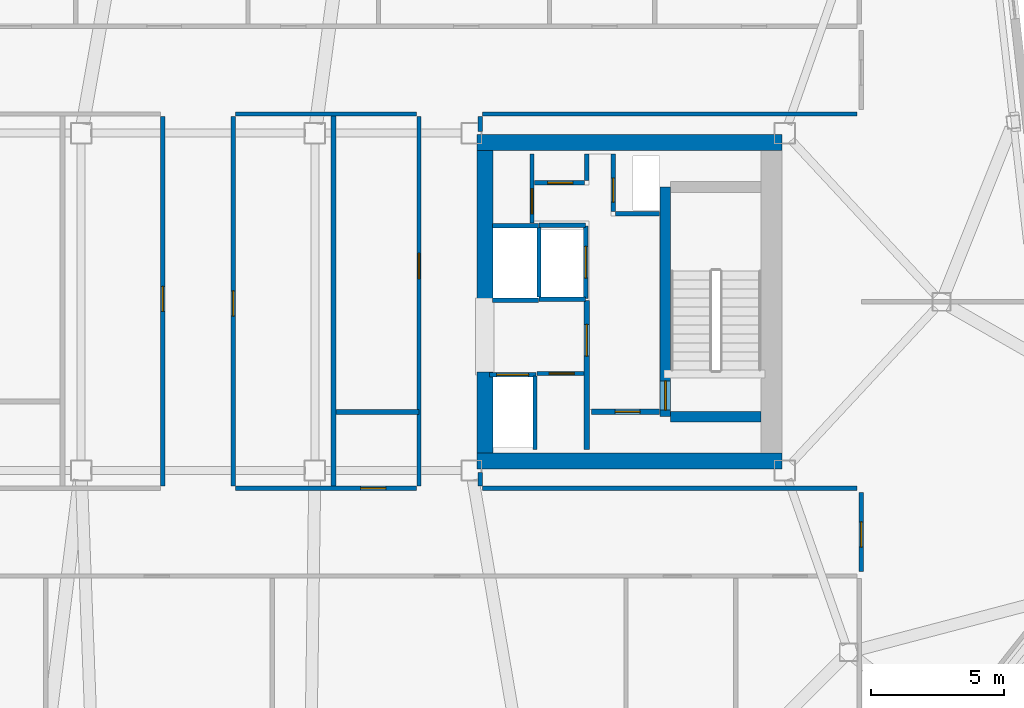
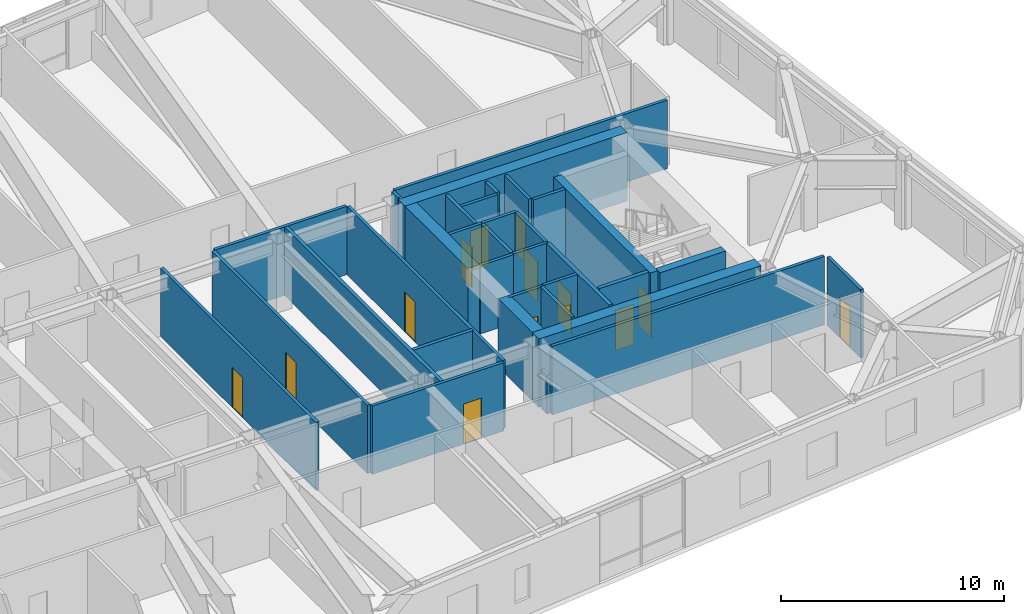
# One storey, part 13 of 18: 34 walls, 14 doors, 14 openings.
"""IFC4 building model written with IfcOpenShell, lengths in metres."""

from ifc_helpers import new_model, si_unit, direction, frame, frame_2d, origin, place, context, subcontext, project, spatial, rectangle, extrude, material, layer, layer_set, type_object, element, fill, save


model = new_model("IFC4")

# Units and contexts
model_context = context("Model", 3, precision=1e-05, world=origin(), true_north=direction((0.0, 1.0)))
body_context = subcontext(model_context, "Body", "Model", "MODEL_VIEW")
ifc_project = project(units=[si_unit("LENGTHUNIT", "METRE"), si_unit("AREAUNIT", "SQUARE_METRE"), si_unit("VOLUMEUNIT", "CUBIC_METRE"), si_unit("PLANEANGLEUNIT", "RADIAN"), si_unit("MASSUNIT", "GRAM", prefix="KILO")], contexts=[model_context])

# Site, building, storey
site_placement = place(None, origin())
site = spatial("IfcSite", under=ifc_project, at=site_placement, CompositionType="ELEMENT")
building_placement = place(site_placement, origin())
building = spatial("IfcBuilding", under=site, at=building_placement, Name="Tavrogorsk Clinical Tower", CompositionType="ELEMENT")
storey_placement = place(building_placement, frame((0.0, 0.0, 222.199951171875)))
storey = spatial("IfcBuildingStorey", under=building, at=storey_placement, Name="L51", CompositionType="ELEMENT", Elevation=222.199951171875)

# Wall, opening, door
ifc_material_1 = material(Name="Concrete B60", Category="concrete")
ifc_layer_1 = layer(ifc_material_1, 0.199951171875)
ifc_layer_set_1 = layer_set([ifc_layer_1], Name="Concrete B60")
wall_type_1 = type_object("IfcWallType", Name="CoreFireWall_200", PredefinedType="SOLIDWALL", material=ifc_layer_set_1)
wall_1_placement = place(storey_placement, frame((14.824951171875, -4.139892578125, 0.0), z_axis=(0.0, 0.0, 1.0), x_axis=(1.0, 0.0, 0.0)))
wall_1 = element("IfcWall", 1, at=wall_1_placement, inside=storey, type_object=wall_type_1, Name="L51 Core East South Core Room Fire Wall", PredefinedType="SOLIDWALL", context=body_context, shape_type="SweptSolid", body=[
    extrude(rectangle(XDim=2.554931640625, YDim=0.199951171875, at=frame_2d((1.27734375, 0.0))), origin(), (0.0, 0.0, 1.0), 3.739990234375),
])
opening_1_placement = place(wall_1_placement, frame((0.8798828125, 0.0, 0.0)))
opening_1 = element("IfcOpeningElement", 2, at=opening_1_placement, cuts=wall_1, Name="Opening ID-02", PredefinedType="OPENING", context=body_context, shape_type="SweptSolid", body=[
    extrude(rectangle(XDim=0.949951171875, YDim=2.199951171875, at=frame_2d((0.47509765625, 1.10009765625))), frame((0.0, 0.10986328125, 0.0), z_axis=(0.0, -1.0, 0.0), x_axis=(1.0, 0.0, 0.0)), (0.0, 0.0, 1.0), 0.219970703125),
])
ifc_material_2 = material(Name="Laminated timber leaf on aluminium frame", Category="wood")
door_type_1 = type_object("IfcDoorType", Name="InteriorDoor_ID02_950", OperationType="NOTDEFINED", PredefinedType="DOOR", material=ifc_material_2)
door_1_placement = place(opening_1_placement, origin())
door_1 = element("IfcDoor", 3, at=door_1_placement, inside=storey, type_object=door_type_1, Name="L51 Core East South Core Room Door", OperationType="SINGLE_SWING_RIGHT", OverallHeight=2.199951171875, OverallWidth=0.949951171875, PredefinedType="DOOR", context=body_context, shape_type="SweptSolid", body=[
    extrude(rectangle(XDim=0.949951171875, YDim=2.199951171875, at=frame_2d((0.47509765625, 1.10009765625))), frame((0.0, 0.02490234375, 0.0), z_axis=(0.0, -1.0, 0.0), x_axis=(1.0, 0.0, 0.0)), (0.0, 0.0, 1.0), 0.050048828125),
])
fill(opening_1, door_1)

wall_2_placement = place(storey_placement, frame((14.639892578125, -5.56005859375, 0.0), z_axis=(0.0, 0.0, 1.0), x_axis=(0.0, 1.0, 0.0)))
wall_2 = element("IfcWall", 4, at=wall_2_placement, inside=storey, type_object=wall_type_1, Name="L51 Core East Firefighting Lobby Fire Wall", PredefinedType="SOLIDWALL", context=body_context, shape_type="SweptSolid", body=[
    extrude(rectangle(XDim=5.60009765625, YDim=0.199951171875, at=frame_2d((2.800048828125, 0.0))), origin(), (0.0, 0.0, 1.0), 3.739990234375),
])
opening_2_placement = place(wall_2_placement, frame((3.510009765625, 0.0, 0.0)))
opening_2 = element("IfcOpeningElement", 5, at=opening_2_placement, cuts=wall_2, Name="Opening FD-01", PredefinedType="OPENING", context=body_context, shape_type="SweptSolid", body=[
    extrude(rectangle(XDim=1.199951171875, YDim=2.199951171875, at=frame_2d((0.60009765625, 1.10009765625))), frame((0.0, 0.10986328125, 0.0), z_axis=(0.0, -1.0, 0.0), x_axis=(1.0, 0.0, 0.0)), (0.0, 0.0, 1.0), 0.219970703125),
])
ifc_material_3 = material(Name="Galvanised steel fire-rated door assembly", Category="steel")
door_type_2 = type_object("IfcDoorType", Name="FireDoor_FD01_1200", OperationType="NOTDEFINED", PredefinedType="DOOR", material=ifc_material_3)
door_2_placement = place(opening_2_placement, origin())
door_2 = element("IfcDoor", 6, at=door_2_placement, inside=storey, type_object=door_type_2, Name="L51 Core East Firefighting Lobby Entry Door", OperationType="SINGLE_SWING_RIGHT", OverallHeight=2.199951171875, OverallWidth=1.199951171875, PredefinedType="DOOR", context=body_context, shape_type="SweptSolid", body=[
    extrude(rectangle(XDim=1.199951171875, YDim=2.199951171875, at=frame_2d((0.60009765625, 1.10009765625))), frame((0.0, 0.02490234375, 0.0), z_axis=(0.0, -1.0, 0.0), x_axis=(1.0, 0.0, 0.0)), (0.0, 0.0, 1.0), 0.050048828125),
])
fill(opening_2, door_2)

ifc_material_4 = material(Name="Lightweight concrete blockwork B15", Category="masonry")
ifc_layer_2 = layer(ifc_material_4, 0.159912109375)
ifc_layer_set_2 = layer_set([ifc_layer_2], Name="Lightweight concrete blockwork B15")
wall_type_2 = type_object("IfcWallType", Name="PartitionWall_160", PredefinedType="PARTITIONING", material=ifc_layer_set_2)
wall_3_placement = place(storey_placement, frame((12.77490234375, -2.699951171875, 0.0), z_axis=(0.0, 0.0, 1.0), x_axis=(1.0, 0.0, 0.0)))
wall_3 = element("IfcWall", 7, at=wall_3_placement, inside=storey, type_object=wall_type_2, Name="L51 Core East Freed Low-Bank North Partition", PredefinedType="PARTITIONING", context=body_context, shape_type="SweptSolid", body=[
    extrude(rectangle(XDim=1.760009765625, YDim=0.159912109375, at=frame_2d((0.8798828125, 0.0))), origin(), (0.0, 0.0, 1.0), 3.739990234375),
])
opening_3_placement = place(wall_3_placement, frame((0.449951171875, 0.0, 0.0)))
opening_3 = element("IfcOpeningElement", 8, at=opening_3_placement, cuts=wall_3, Name="Opening ID-02", PredefinedType="OPENING", context=body_context, shape_type="SweptSolid", body=[
    extrude(rectangle(XDim=0.949951171875, YDim=2.199951171875, at=frame_2d((0.47509765625, 1.10009765625))), frame((0.0, 0.08984375, 0.0), z_axis=(0.0, -1.0, 0.0), x_axis=(1.0, 0.0, 0.0)), (0.0, 0.0, 1.0), 0.179931640625),
])
door_3_placement = place(opening_3_placement, origin())
door_3 = element("IfcDoor", 9, at=door_3_placement, inside=storey, type_object=door_type_1, Name="L51 Core East Biomedical Alcove Door", OperationType="SINGLE_SWING_LEFT", OverallHeight=2.199951171875, OverallWidth=0.949951171875, PredefinedType="DOOR", context=body_context, shape_type="SweptSolid", body=[
    extrude(rectangle(XDim=0.949951171875, YDim=2.199951171875, at=frame_2d((0.47509765625, 1.10009765625))), frame((0.0, 0.02490234375, 0.0), z_axis=(0.0, -1.0, 0.0), x_axis=(1.0, 0.0, 0.0)), (0.0, 0.0, 1.0), 0.050048828125),
])
fill(opening_3, door_3)

wall_4_placement = place(storey_placement, frame((12.580078125, 2.9599609375, 0.0), z_axis=(0.0, 0.0, 1.0), x_axis=(0.0, 1.0, 0.0)))
wall_4 = element("IfcWall", 10, at=wall_4_placement, inside=storey, type_object=wall_type_2, Name="L51 Core East Linen Closet Wall", PredefinedType="PARTITIONING", context=body_context, shape_type="SweptSolid", body=[
    extrude(rectangle(XDim=2.60009765625, YDim=0.159912109375, at=frame_2d((1.300048828125, 0.0))), origin(), (0.0, 0.0, 1.0), 3.739990234375),
])
opening_4_placement = place(wall_4_placement, frame((0.35009765625, 0.0, 0.0)))
opening_4 = element("IfcOpeningElement", 11, at=opening_4_placement, cuts=wall_4, Name="Opening ID-02", PredefinedType="OPENING", context=body_context, shape_type="SweptSolid", body=[
    extrude(rectangle(XDim=0.949951171875, YDim=2.199951171875, at=frame_2d((0.47509765625, 1.10009765625))), frame((0.0, 0.08984375, 0.0), z_axis=(0.0, -1.0, 0.0), x_axis=(1.0, 0.0, 0.0)), (0.0, 0.0, 1.0), 0.179931640625),
])
door_4_placement = place(opening_4_placement, origin())
door_4 = element("IfcDoor", 12, at=door_4_placement, inside=storey, type_object=door_type_1, Name="L51 Core East Linen Closet Door", OperationType="SINGLE_SWING_RIGHT", OverallHeight=2.199951171875, OverallWidth=0.949951171875, PredefinedType="DOOR", context=body_context, shape_type="SweptSolid", body=[
    extrude(rectangle(XDim=0.949951171875, YDim=2.199951171875, at=frame_2d((0.47509765625, 1.10009765625))), frame((0.0, 0.02490234375, 0.0), z_axis=(0.0, -1.0, 0.0), x_axis=(1.0, 0.0, 0.0)), (0.0, 0.0, 1.0), 0.050048828125),
])
fill(opening_4, door_4)

wall_5_placement = place(storey_placement, frame((12.6650390625, 4.47998046875, 0.0), z_axis=(0.0, 0.0, 1.0), x_axis=(1.0, 0.0, 0.0)))
wall_5 = element("IfcWall", 13, at=wall_5_placement, inside=storey, type_object=wall_type_2, Name="L51 Core East Housekeeping South Wall", PredefinedType="PARTITIONING", context=body_context, shape_type="SweptSolid", body=[
    extrude(rectangle(XDim=1.889892578125, YDim=0.159912109375, at=frame_2d((0.94482421875, 0.0))), origin(), (0.0, 0.0, 1.0), 3.739990234375),
])
opening_5_placement = place(wall_5_placement, frame((0.5, 0.0, 0.0)))
opening_5 = element("IfcOpeningElement", 14, at=opening_5_placement, cuts=wall_5, Name="Opening ID-02", PredefinedType="OPENING", context=body_context, shape_type="SweptSolid", body=[
    extrude(rectangle(XDim=0.949951171875, YDim=2.199951171875, at=frame_2d((0.47509765625, 1.10009765625))), frame((0.0, 0.08984375, 0.0), z_axis=(0.0, -1.0, 0.0), x_axis=(1.0, 0.0, 0.0)), (0.0, 0.0, 1.0), 0.179931640625),
])
door_5_placement = place(opening_5_placement, origin())
door_5 = element("IfcDoor", 15, at=door_5_placement, inside=storey, type_object=door_type_1, Name="L51 Core East Housekeeping Closet Door", OperationType="SINGLE_SWING_LEFT", OverallHeight=2.199951171875, OverallWidth=0.949951171875, PredefinedType="DOOR", context=body_context, shape_type="SweptSolid", body=[
    extrude(rectangle(XDim=0.949951171875, YDim=2.199951171875, at=frame_2d((0.47509765625, 1.10009765625))), frame((0.0, 0.02490234375, 0.0), z_axis=(0.0, -1.0, 0.0), x_axis=(1.0, 0.0, 0.0)), (0.0, 0.0, 1.0), 0.050048828125),
])
fill(opening_5, door_5)

# Walls
wall_6_placement = place(storey_placement, frame((14.639892578125, 4.56494140625, 0.0), z_axis=(0.0, 0.0, 1.0), x_axis=(0.0, 1.0, 0.0)))
element("IfcWall", 16, at=wall_6_placement, inside=storey, type_object=wall_type_2, Name="L51 Core East Housekeeping East Wall", PredefinedType="PARTITIONING", context=body_context, shape_type="SweptSolid", body=[
    extrude(rectangle(XDim=0.9951171875, YDim=0.159912109375, at=frame_2d((0.49755859375, 0.0))), origin(), (0.0, 0.0, 1.0), 3.739990234375),
])
wall_7_placement = place(storey_placement, frame((24.81494140625, 7.070068359375, 0.0), z_axis=(0.0, 0.0, 1.0), x_axis=(-1.0, 0.0, 0.0)))
element("IfcWall", 17, at=wall_7_placement, inside=storey, type_object=wall_type_2, Name="L51 Corridor Partition 09", PredefinedType="PARTITIONING", context=body_context, shape_type="SweptSolid", body=[
    extrude(rectangle(XDim=14.099853515625, YDim=0.159912109375, at=frame_2d((7.0498046875, 0.0))), origin(), (0.0, 0.0, 1.0), 3.739990234375),
])
wall_8_placement = place(storey_placement, frame((10.6298828125, 6.985107421875, 0.0), z_axis=(0.0, 0.0, 1.0), x_axis=(0.0, -1.0, 0.0)))
element("IfcWall", 18, at=wall_8_placement, inside=storey, type_object=wall_type_2, Name="L51 Corridor Partition 10", PredefinedType="PARTITIONING", context=body_context, shape_type="SweptSolid", body=[
    extrude(rectangle(XDim=0.565185546875, YDim=0.159912109375, at=frame_2d((0.28271484375, 0.0))), origin(), (0.0, 0.0, 1.0), 3.739990234375),
])
wall_9_placement = place(storey_placement, frame((10.6298828125, -6.419921875, 0.0), z_axis=(0.0, 0.0, 1.0), x_axis=(0.0, -1.0, 0.0)))
element("IfcWall", 19, at=wall_9_placement, inside=storey, type_object=wall_type_2, Name="L51 Corridor Partition 11", PredefinedType="PARTITIONING", context=body_context, shape_type="SweptSolid", body=[
    extrude(rectangle(XDim=0.51513671875, YDim=0.159912109375, at=frame_2d((0.257568359375, 0.0))), origin(), (0.0, 0.0, 1.0), 2.135009765625),
])
wall_10_placement = place(storey_placement, frame((10.715087890625, -7.02001953125, 0.0), z_axis=(0.0, 0.0, 1.0), x_axis=(1.0, 0.0, 0.0)))
element("IfcWall", 20, at=wall_10_placement, inside=storey, type_object=wall_type_2, Name="L51 Corridor Partition 12", PredefinedType="PARTITIONING", context=body_context, shape_type="SweptSolid", body=[
    extrude(rectangle(XDim=14.099853515625, YDim=0.159912109375, at=frame_2d((7.0498046875, 0.0))), origin(), (0.0, 0.0, 1.0), 3.739990234375),
])

# Wall, opening, door
wall_11_placement = place(storey_placement, frame((24.97998046875, -7.18505859375, 0.0), z_axis=(0.0, 0.0, 1.0), x_axis=(0.0, -1.0, 0.0)))
wall_11 = element("IfcWall", 21, at=wall_11_placement, inside=storey, type_object=wall_type_2, Name="L51 Corridor Partition 13", PredefinedType="PARTITIONING", context=body_context, shape_type="SweptSolid", body=[
    extrude(rectangle(XDim=2.97998046875, YDim=0.159912109375, at=frame_2d((1.489990234375, 0.0))), origin(), (0.0, 0.0, 1.0), 3.739990234375),
])
opening_6_placement = place(wall_11_placement, frame((1.10009765625, 0.0, 0.0)))
opening_6 = element("IfcOpeningElement", 22, at=opening_6_placement, cuts=wall_11, Name="Opening ID-02", PredefinedType="OPENING", context=body_context, shape_type="SweptSolid", body=[
    extrude(rectangle(XDim=0.949951171875, YDim=2.199951171875, at=frame_2d((0.47509765625, 1.10009765625))), frame((0.0, 0.08984375, 0.0), z_axis=(0.0, -1.0, 0.0), x_axis=(1.0, 0.0, 0.0)), (0.0, 0.0, 1.0), 0.179931640625),
])
door_6_placement = place(opening_6_placement, origin())
door_6 = element("IfcDoor", 23, at=door_6_placement, inside=storey, type_object=door_type_1, Name="L51 E Senior Clinician Suite 1 Door", OperationType="SINGLE_SWING_LEFT", OverallHeight=2.199951171875, OverallWidth=0.949951171875, PredefinedType="DOOR", context=body_context, shape_type="SweptSolid", body=[
    extrude(rectangle(XDim=0.949951171875, YDim=2.199951171875, at=frame_2d((0.47509765625, 1.10009765625))), frame((0.0, 0.02490234375, 0.0), z_axis=(0.0, -1.0, 0.0), x_axis=(1.0, 0.0, 0.0)), (0.0, 0.0, 1.0), 0.050048828125),
])
fill(opening_6, door_6)

# Wall
wall_12_placement = place(storey_placement, frame((8.235107421875, 7.070068359375, 0.0), z_axis=(0.0, 0.0, 1.0), x_axis=(-1.0, 0.0, 0.0)))
element("IfcWall", 24, at=wall_12_placement, inside=storey, type_object=wall_type_2, Name="L51 Corridor Partition 15", PredefinedType="PARTITIONING", context=body_context, shape_type="SweptSolid", body=[
    extrude(rectangle(XDim=6.820068359375, YDim=0.159912109375, at=frame_2d((3.41015625, 0.0))), origin(), (0.0, 0.0, 1.0), 3.739990234375),
])

# Wall, opening, door
wall_13_placement = place(storey_placement, frame((1.330078125, 6.985107421875, 0.0), z_axis=(0.0, 0.0, 1.0), x_axis=(0.0, -1.0, 0.0)))
wall_13 = element("IfcWall", 25, at=wall_13_placement, inside=storey, type_object=wall_type_2, Name="L51 Corridor Partition 16", PredefinedType="PARTITIONING", context=body_context, shape_type="SweptSolid", body=[
    extrude(rectangle(XDim=13.920166015625, YDim=0.159912109375, at=frame_2d((6.9599609375, 0.0))), origin(), (0.0, 0.0, 1.0), 3.739990234375),
])
opening_7_placement = place(wall_13_placement, frame((6.570068359375, 0.0, 0.0)))
opening_7 = element("IfcOpeningElement", 26, at=opening_7_placement, cuts=wall_13, Name="Opening ID-02", PredefinedType="OPENING", context=body_context, shape_type="SweptSolid", body=[
    extrude(rectangle(XDim=0.949951171875, YDim=2.199951171875, at=frame_2d((0.47509765625, 1.10009765625))), frame((0.0, 0.08984375, 0.0), z_axis=(0.0, -1.0, 0.0), x_axis=(1.0, 0.0, 0.0)), (0.0, 0.0, 1.0), 0.179931640625),
])
door_7_placement = place(opening_7_placement, origin())
door_7 = element("IfcDoor", 27, at=door_7_placement, inside=storey, type_object=door_type_1, Name="L51 Clean Medication Preparation Room Door", OperationType="SINGLE_SWING_RIGHT", OverallHeight=2.199951171875, OverallWidth=0.949951171875, PredefinedType="DOOR", context=body_context, shape_type="SweptSolid", body=[
    extrude(rectangle(XDim=0.949951171875, YDim=2.199951171875, at=frame_2d((0.47509765625, 1.10009765625))), frame((0.0, 0.02490234375, 0.0), z_axis=(0.0, -1.0, 0.0), x_axis=(1.0, 0.0, 0.0)), (0.0, 0.0, 1.0), 0.050048828125),
])
fill(opening_7, door_7)

wall_14_placement = place(storey_placement, frame((1.4150390625, -7.02001953125, 0.0), z_axis=(0.0, 0.0, 1.0), x_axis=(1.0, 0.0, 0.0)))
wall_14 = element("IfcWall", 28, at=wall_14_placement, inside=storey, type_object=wall_type_2, Name="L51 Corridor Partition 17", PredefinedType="PARTITIONING", context=body_context, shape_type="SweptSolid", body=[
    extrude(rectangle(XDim=6.820068359375, YDim=0.159912109375, at=frame_2d((3.41015625, 0.0))), origin(), (0.0, 0.0, 1.0), 3.739990234375),
])
opening_8_placement = place(wall_14_placement, frame((4.7109375, 0.0, 0.0)))
opening_8 = element("IfcOpeningElement", 29, at=opening_8_placement, cuts=wall_14, Name="Opening ID-02", PredefinedType="OPENING", context=body_context, shape_type="SweptSolid", body=[
    extrude(rectangle(XDim=0.949951171875, YDim=2.199951171875, at=frame_2d((0.47509765625, 1.10009765625))), frame((0.0, 0.08984375, 0.0), z_axis=(0.0, -1.0, 0.0), x_axis=(1.0, 0.0, 0.0)), (0.0, 0.0, 1.0), 0.179931640625),
])
door_8_placement = place(opening_8_placement, origin())
door_8 = element("IfcDoor", 30, at=door_8_placement, inside=storey, type_object=door_type_1, Name="L51 Staff & Visitor Accessible WC Door", OperationType="SINGLE_SWING_LEFT", OverallHeight=2.199951171875, OverallWidth=0.949951171875, PredefinedType="DOOR", context=body_context, shape_type="SweptSolid", body=[
    extrude(rectangle(XDim=0.949951171875, YDim=2.199951171875, at=frame_2d((0.47509765625, 1.10009765625))), frame((0.0, 0.02490234375, 0.0), z_axis=(0.0, -1.0, 0.0), x_axis=(1.0, 0.0, 0.0)), (0.0, 0.0, 1.0), 0.050048828125),
])
fill(opening_8, door_8)

wall_15_placement = place(storey_placement, frame((8.320068359375, -6.93505859375, 0.0), z_axis=(0.0, 0.0, 1.0), x_axis=(0.0, 1.0, 0.0)))
wall_15 = element("IfcWall", 31, at=wall_15_placement, inside=storey, type_object=wall_type_2, Name="L51 Corridor Partition 18", PredefinedType="PARTITIONING", context=body_context, shape_type="SweptSolid", body=[
    extrude(rectangle(XDim=13.920166015625, YDim=0.159912109375, at=frame_2d((6.9599609375, 0.0))), origin(), (0.0, 0.0, 1.0), 3.739990234375),
])
opening_9_placement = place(wall_15_placement, frame((7.810791015625, 0.0, 0.0)))
opening_9 = element("IfcOpeningElement", 32, at=opening_9_placement, cuts=wall_15, Name="Opening ID-02", PredefinedType="OPENING", context=body_context, shape_type="SweptSolid", body=[
    extrude(rectangle(XDim=0.949951171875, YDim=2.199951171875, at=frame_2d((0.47509765625, 1.10009765625))), frame((0.0, 0.08984375, 0.0), z_axis=(0.0, -1.0, 0.0), x_axis=(1.0, 0.0, 0.0)), (0.0, 0.0, 1.0), 0.179931640625),
])
door_9_placement = place(opening_9_placement, origin())
door_9 = element("IfcDoor", 33, at=door_9_placement, inside=storey, type_object=door_type_1, Name="L51 Resident Clinician Study Door", OperationType="SINGLE_SWING_RIGHT", OverallHeight=2.199951171875, OverallWidth=0.949951171875, PredefinedType="DOOR", context=body_context, shape_type="SweptSolid", body=[
    extrude(rectangle(XDim=0.949951171875, YDim=2.199951171875, at=frame_2d((0.47509765625, 1.10009765625))), frame((0.0, 0.02490234375, 0.0), z_axis=(0.0, -1.0, 0.0), x_axis=(1.0, 0.0, 0.0)), (0.0, 0.0, 1.0), 0.050048828125),
])
fill(opening_9, door_9)

wall_16_placement = place(storey_placement, frame((-1.330078125, -6.93505859375, 0.0), z_axis=(0.0, 0.0, 1.0), x_axis=(0.0, 1.0, 0.0)))
wall_16 = element("IfcWall", 34, at=wall_16_placement, inside=storey, type_object=wall_type_2, Name="L51 Corridor Partition 19", PredefinedType="PARTITIONING", context=body_context, shape_type="SweptSolid", body=[
    extrude(rectangle(XDim=13.920166015625, YDim=0.159912109375, at=frame_2d((6.9599609375, 0.0))), origin(), (0.0, 0.0, 1.0), 3.739990234375),
])
opening_10_placement = place(wall_16_placement, frame((6.570068359375, 0.0, 0.0)))
opening_10 = element("IfcOpeningElement", 35, at=opening_10_placement, cuts=wall_16, Name="Opening ID-02", PredefinedType="OPENING", context=body_context, shape_type="SweptSolid", body=[
    extrude(rectangle(XDim=0.949951171875, YDim=2.199951171875, at=frame_2d((0.47509765625, 1.10009765625))), frame((0.0, 0.08984375, 0.0), z_axis=(0.0, -1.0, 0.0), x_axis=(1.0, 0.0, 0.0)), (0.0, 0.0, 1.0), 0.179931640625),
])
door_10_placement = place(opening_10_placement, origin())
door_10 = element("IfcDoor", 36, at=door_10_placement, inside=storey, type_object=door_type_1, Name="L51 Nurses' Station & Telemetry Hub Door", OperationType="SINGLE_SWING_LEFT", OverallHeight=2.199951171875, OverallWidth=0.949951171875, PredefinedType="DOOR", context=body_context, shape_type="SweptSolid", body=[
    extrude(rectangle(XDim=0.949951171875, YDim=2.199951171875, at=frame_2d((0.47509765625, 1.10009765625))), frame((0.0, 0.02490234375, 0.0), z_axis=(0.0, -1.0, 0.0), x_axis=(1.0, 0.0, 0.0)), (0.0, 0.0, 1.0), 0.050048828125),
])
fill(opening_10, door_10)

# Walls
ifc_material_5 = material(Name="Lightweight concrete blockwork B20", Category="masonry")
ifc_layer_3 = layer(ifc_material_5, 0.179931640625)
ifc_layer_set_3 = layer_set([ifc_layer_3], Name="Lightweight concrete blockwork B20")
wall_type_3 = type_object("IfcWallType", Name="PartitionWall_180", PredefinedType="PARTITIONING", material=ifc_layer_set_3)
wall_17_placement = place(storey_placement, frame((5.10009765625, -7.014892578125, 0.0), z_axis=(0.0, 0.0, 1.0), x_axis=(0.0, 1.0, 0.0)))
element("IfcWall", 37, at=wall_17_placement, inside=storey, type_object=wall_type_3, Name="L51 Central Spine Partition 2", PredefinedType="PARTITIONING", context=body_context, shape_type="SweptSolid", body=[
    extrude(rectangle(XDim=14.079833984375, YDim=0.179931640625, at=frame_2d((7.0400390625, 0.0))), origin(), (0.0, 0.0, 1.0), 3.739990234375),
])
wall_18_placement = place(storey_placement, frame((5.195068359375, -4.14990234375, 0.0), z_axis=(0.0, 0.0, 1.0), x_axis=(1.0, 0.0, 0.0)))
element("IfcWall", 38, at=wall_18_placement, inside=storey, type_object=wall_type_3, Name="L51 Central Spine Partition 4", PredefinedType="PARTITIONING", context=body_context, shape_type="SweptSolid", body=[
    extrude(rectangle(XDim=3.119873046875, YDim=0.179931640625, at=frame_2d((1.56005859375, 0.0))), origin(), (0.0, 0.0, 1.0), 3.739990234375),
])

# Wall, opening, door
ifc_material_6 = material(Name="Lightweight concrete blockwork B25", Category="masonry")
ifc_layer_4 = layer(ifc_material_6, 0.159912109375)
ifc_layer_set_4 = layer_set([ifc_layer_4], Name="Lightweight concrete blockwork B25")
wall_type_4 = type_object("IfcWallType", Name="ShaftWall_160", PredefinedType="PARTITIONING", material=ifc_layer_set_4)
wall_19_placement = place(storey_placement, frame((14.60009765625, 0.1201171875, 0.0), z_axis=(0.0, 0.0, 1.0), x_axis=(0.0, 1.0, 0.0)))
wall_19 = element("IfcWall", 39, at=wall_19_placement, inside=storey, type_object=wall_type_4, Name="L51 FFL-E Firefighting Lift Front Wall", PredefinedType="PARTITIONING", context=body_context, shape_type="SweptSolid", body=[
    extrude(rectangle(XDim=2.739990234375, YDim=0.159912109375, at=frame_2d((1.3701171875, 0.0))), origin(), (0.0, 0.0, 1.0), 3.739990234375),
])
opening_11_placement = place(wall_19_placement, frame((0.77001953125, 0.0, 0.0)))
opening_11 = element("IfcOpeningElement", 40, at=opening_11_placement, cuts=wall_19, Name="Opening LD", PredefinedType="OPENING", context=body_context, shape_type="SweptSolid", body=[
    extrude(rectangle(XDim=1.199951171875, YDim=2.199951171875, at=frame_2d((0.60009765625, 1.10009765625))), frame((0.0, 0.08984375, 0.0), z_axis=(0.0, -1.0, 0.0), x_axis=(1.0, 0.0, 0.0)), (0.0, 0.0, 1.0), 0.179931640625),
])
ifc_material_7 = material(Name="Brushed stainless steel AISI 304 sliding doors", Category="steel")
door_type_3 = type_object("IfcDoorType", Name="LiftLandingDoor_LD_1200", OperationType="SLIDING_TO_LEFT", PredefinedType="DOOR", material=ifc_material_7)
door_11_placement = place(opening_11_placement, origin())
door_11 = element("IfcDoor", 41, at=door_11_placement, inside=storey, type_object=door_type_3, Name="L51 FFL-E Sliding Lift Landing Door", OperationType="SLIDING_TO_LEFT", OverallHeight=2.199951171875, OverallWidth=1.199951171875, PredefinedType="DOOR", context=body_context, shape_type="SweptSolid", body=[
    extrude(rectangle(XDim=1.199951171875, YDim=2.199951171875, at=frame_2d((0.60009765625, 1.10009765625))), frame((0.0, 0.02490234375, 0.0), z_axis=(0.0, -1.0, 0.0), x_axis=(1.0, 0.0, 0.0)), (0.0, 0.0, 1.0), 0.050048828125),
])
fill(opening_11, door_11)

# Walls
for number, where, z_axis, x_axis, name in (
    (42, (12.840087890625, 0.10009765625, 0.0), (0.0, 0.0, 1.0), (1.0, 0.0, 0.0), "L51 FFL-E Shaft South Wall"),
    (43, (12.840087890625, 2.8798828125, 0.0), (0.0, 0.0, 1.0), (1.0, 0.0, 0.0), "L51 FFL-E Shaft North Wall"),
):
    element("IfcWall", number, at=place(storey_placement, frame(where, z_axis=z_axis, x_axis=x_axis)), inside=storey, type_object=wall_type_4, Name=name, PredefinedType="PARTITIONING", context=body_context, shape_type="SweptSolid", body=[
        extrude(rectangle(XDim=1.760009765625, YDim=0.159912109375, at=frame_2d((0.8798828125, 0.0))), origin(), (0.0, 0.0, 1.0), 3.739990234375),
    ])
wall_20_placement = place(storey_placement, frame((12.840087890625, 0.179931640625, 0.0), z_axis=(0.0, 0.0, 1.0), x_axis=(0.0, 1.0, 0.0)))
element("IfcWall", 44, at=wall_20_placement, inside=storey, type_object=wall_type_4, Name="L51 FFL-E Shaft Back Wall", PredefinedType="PARTITIONING", context=body_context, shape_type="SweptSolid", body=[
    extrude(rectangle(XDim=2.6201171875, YDim=0.159912109375, at=frame_2d((1.31005859375, 0.0))), origin(), (0.0, 0.0, 1.0), 3.739990234375),
])

# Wall, opening, door
wall_21_placement = place(storey_placement, frame((10.969970703125, -2.75, 0.0), z_axis=(0.0, 0.0, 1.0), x_axis=(1.0, 0.0, 0.0)))
wall_21 = element("IfcWall", 45, at=wall_21_placement, inside=storey, type_object=wall_type_4, Name="L51 LP-M2 Lift Shaft Portal Wall", PredefinedType="PARTITIONING", context=body_context, shape_type="SweptSolid", body=[
    extrude(rectangle(XDim=1.760009765625, YDim=0.159912109375, at=frame_2d((0.8798828125, 0.0))), origin(), (0.0, 0.0, 1.0), 3.739990234375),
])
opening_12_placement = place(wall_21_placement, frame((0.280029296875, 0.0, 0.0)))
opening_12 = element("IfcOpeningElement", 46, at=opening_12_placement, cuts=wall_21, Name="Opening LD", PredefinedType="OPENING", context=body_context, shape_type="SweptSolid", body=[
    extrude(rectangle(XDim=1.199951171875, YDim=2.199951171875, at=frame_2d((0.60009765625, 1.10009765625))), frame((0.0, 0.08984375, 0.0), z_axis=(0.0, -1.0, 0.0), x_axis=(1.0, 0.0, 0.0)), (0.0, 0.0, 1.0), 0.179931640625),
])
door_12_placement = place(opening_12_placement, origin())
door_12 = element("IfcDoor", 47, at=door_12_placement, inside=storey, type_object=door_type_3, Name="L51 LP-M2 Sliding Lift Landing Door", OperationType="SLIDING_TO_LEFT", OverallHeight=2.199951171875, OverallWidth=1.199951171875, PredefinedType="DOOR", context=body_context, shape_type="SweptSolid", body=[
    extrude(rectangle(XDim=1.199951171875, YDim=2.199951171875, at=frame_2d((0.60009765625, 1.10009765625))), frame((0.0, 0.02490234375, 0.0), z_axis=(0.0, -1.0, 0.0), x_axis=(1.0, 0.0, 0.0)), (0.0, 0.0, 1.0), 0.050048828125),
])
fill(opening_12, door_12)

# Walls
for number, where, z_axis, x_axis, name in (
    (48, (11.10009765625, 0.06005859375, 0.0), (0.0, 0.0, 1.0), (1.0, 0.0, 0.0), "L51 LP-H2 High-Zone Lift Portal Wall"),
    (49, (11.10009765625, 2.860107421875, 0.0), (0.0, 0.0, 1.0), (1.0, 0.0, 0.0), "L51 LP-H2 High-Zone Lift Rear Wall"),
):
    element("IfcWall", number, at=place(storey_placement, frame(where, z_axis=z_axis, x_axis=x_axis)), inside=storey, type_object=wall_type_4, Name=name, PredefinedType="PARTITIONING", context=body_context, shape_type="SweptSolid", body=[
        extrude(rectangle(XDim=1.719970703125, YDim=0.159912109375, at=frame_2d((0.85986328125, 0.0))), origin(), (0.0, 0.0, 1.0), 3.739990234375),
    ])

# Wall, opening, door
wall_22_placement = place(storey_placement, frame((15.639892578125, 3.405029296875, 0.0), z_axis=(0.0, 0.0, 1.0), x_axis=(0.0, 1.0, 0.0)))
wall_22 = element("IfcWall", 50, at=wall_22_placement, inside=storey, type_object=wall_type_4, Name="L51 Core East Riser West Wall", PredefinedType="PARTITIONING", context=body_context, shape_type="SweptSolid", body=[
    extrude(rectangle(XDim=2.155029296875, YDim=0.159912109375, at=frame_2d((1.07763671875, 0.0))), origin(), (0.0, 0.0, 1.0), 3.739990234375),
])
opening_13_placement = place(wall_22_placement, frame((0.35009765625, 0.0, 0.0)))
opening_13 = element("IfcOpeningElement", 51, at=opening_13_placement, cuts=wall_22, Name="Opening FD-02", PredefinedType="OPENING", context=body_context, shape_type="SweptSolid", body=[
    extrude(rectangle(XDim=0.89990234375, YDim=2.199951171875, at=frame_2d((0.449951171875, 1.10009765625))), frame((0.0, 0.08984375, 0.0), z_axis=(0.0, -1.0, 0.0), x_axis=(1.0, 0.0, 0.0)), (0.0, 0.0, 1.0), 0.179931640625),
])
ifc_material_8 = material(Name="Galvanised steel fire-rated door assembly", Category="steel")
door_type_4 = type_object("IfcDoorType", Name="FireDoor_FD02_900", OperationType="NOTDEFINED", PredefinedType="DOOR", material=ifc_material_8)
door_13_placement = place(opening_13_placement, origin())
door_13 = element("IfcDoor", 52, at=door_13_placement, inside=storey, type_object=door_type_4, Name="L51 Core East Electrical Riser Access Door", OperationType="SINGLE_SWING_LEFT", OverallHeight=2.199951171875, OverallWidth=0.89990234375, PredefinedType="DOOR", context=body_context, shape_type="SweptSolid", body=[
    extrude(rectangle(XDim=0.89990234375, YDim=2.199951171875, at=frame_2d((0.449951171875, 1.10009765625))), frame((0.0, 0.02490234375, 0.0), z_axis=(0.0, -1.0, 0.0), x_axis=(1.0, 0.0, 0.0)), (0.0, 0.0, 1.0), 0.050048828125),
])
fill(opening_13, door_13)

# Walls
wall_23_placement = place(storey_placement, frame((15.72509765625, 3.320068359375, 0.0), z_axis=(0.0, 0.0, 1.0), x_axis=(1.0, 0.0, 0.0)))
element("IfcWall", 53, at=wall_23_placement, inside=storey, type_object=wall_type_4, Name="L51 Core East Riser South Wall", PredefinedType="PARTITIONING", context=body_context, shape_type="SweptSolid", body=[
    extrude(rectangle(XDim=1.65478515625, YDim=0.159912109375, at=frame_2d((0.827392578125, 0.0))), origin(), (0.0, 0.0, 1.0), 3.739990234375),
])
wall_24_placement = place(storey_placement, frame((12.68994140625, -5.56005859375, 0.0), z_axis=(0.0, 0.0, 1.0), x_axis=(0.0, 1.0, 0.0)))
element("IfcWall", 54, at=wall_24_placement, inside=storey, type_object=wall_type_4, Name="L51 Core East Freed Low-Bank Shaft Divider", PredefinedType="PARTITIONING", context=body_context, shape_type="SweptSolid", body=[
    extrude(rectangle(XDim=2.775146484375, YDim=0.159912109375, at=frame_2d((1.3876953125, 0.0))), origin(), (0.0, 0.0, 1.0), 3.739990234375),
])

# Wall, opening, door
ifc_material_9 = material(Name="Concrete B80", Category="concrete")
ifc_layer_5 = layer(ifc_material_9, 0.39990234375)
ifc_layer_set_5 = layer_set([ifc_layer_5], Name="Concrete B80")
wall_type_5 = type_object("IfcWallType", Name="ShearWall_400", PredefinedType="SHEAR", material=ifc_layer_set_5)
wall_25_placement = place(storey_placement, frame((17.60009765625, -4.324951171875, 0.0), z_axis=(0.0, 0.0, 1.0), x_axis=(0.0, 1.0, 0.0)))
wall_25 = element("IfcWall", 55, at=wall_25_placement, inside=storey, type_object=wall_type_5, Name="L51 Core East Stair Shaft Inner Shear Wall", PredefinedType="SHEAR", context=body_context, shape_type="SweptSolid", body=[
    extrude(rectangle(XDim=8.64990234375, YDim=0.39990234375, at=frame_2d((4.324951171875, 0.0))), origin(), (0.0, 0.0, 1.0), 3.739990234375),
])
opening_14_placement = place(wall_25_placement, frame((0.25, 0.0, 0.0)))
opening_14 = element("IfcOpeningElement", 56, at=opening_14_placement, cuts=wall_25, Name="Opening SD-01", PredefinedType="OPENING", context=body_context, shape_type="SweptSolid", body=[
    extrude(rectangle(XDim=1.10009765625, YDim=2.199951171875, at=frame_2d((0.550048828125, 1.10009765625))), frame((0.0, 0.2099609375, 0.0), z_axis=(0.0, -1.0, 0.0), x_axis=(1.0, 0.0, 0.0)), (0.0, 0.0, 1.0), 0.419921875),
])
ifc_material_10 = material(Name="Galvanised steel smoke-tight fire door assembly", Category="steel")
door_type_5 = type_object("IfcDoorType", Name="StairFireDoor_SD01_1100", OperationType="NOTDEFINED", PredefinedType="DOOR", material=ifc_material_10)
door_14_placement = place(opening_14_placement, origin())
door_14 = element("IfcDoor", 57, at=door_14_placement, inside=storey, type_object=door_type_5, Name="L51 ST-E Exit Stair Door", OperationType="SINGLE_SWING_LEFT", OverallHeight=2.199951171875, OverallWidth=1.10009765625, PredefinedType="DOOR", context=body_context, shape_type="SweptSolid", body=[
    extrude(rectangle(XDim=1.10009765625, YDim=2.199951171875, at=frame_2d((0.550048828125, 1.10009765625))), frame((0.0, 0.02490234375, 0.0), z_axis=(0.0, -1.0, 0.0), x_axis=(1.0, 0.0, 0.0)), (0.0, 0.0, 1.0), 0.050048828125),
])
fill(opening_14, door_14)

# Walls
wall_26_placement = place(storey_placement, frame((17.800048828125, -4.324951171875, 0.0), z_axis=(0.0, 0.0, 1.0), x_axis=(1.0, 0.0, 0.0)))
element("IfcWall", 58, at=wall_26_placement, inside=storey, type_object=wall_type_5, Name="L51 Core East Stair Shaft South Shear Wall", PredefinedType="SHEAR", context=body_context, shape_type="SweptSolid", body=[
    extrude(rectangle(XDim=3.39990234375, YDim=0.39990234375, at=frame_2d((1.699951171875, 0.0))), origin(), (0.0, 0.0, 1.0), 3.739990234375),
])
ifc_material_11 = material(Name="Concrete B80", Category="concrete")
ifc_layer_6 = layer(ifc_material_11, 0.60009765625)
ifc_layer_set_6 = layer_set([ifc_layer_6], Name="Concrete B80")
wall_type_6 = type_object("IfcWallType", Name="ShearWall_600", PredefinedType="SHEAR", material=ifc_layer_set_6)
for number, where, z_axis, x_axis, name in (
    (59, (10.5, 6.0, 0.0), (0.0, 0.0, 1.0), (1.0, 0.0, 0.0), "L51 Core East North Shear Wall"),
    (60, (10.5, -6.0, 0.0), (0.0, 0.0, 1.0), (1.0, 0.0, 0.0), "L51 Core East South Shear Wall"),
):
    element("IfcWall", number, at=place(storey_placement, frame(where, z_axis=z_axis, x_axis=x_axis)), inside=storey, type_object=wall_type_6, Name=name, PredefinedType="SHEAR", context=body_context, shape_type="SweptSolid", body=[
        extrude(rectangle(XDim=11.5, YDim=0.60009765625, at=frame_2d((5.75, 0.0))), origin(), (0.0, 0.0, 1.0), 3.739990234375),
    ])
wall_27_placement = place(storey_placement, frame((10.800048828125, -5.699951171875, 0.0), z_axis=(0.0, 0.0, 1.0), x_axis=(0.0, 1.0, 0.0)))
element("IfcWall", 61, at=wall_27_placement, inside=storey, type_object=wall_type_6, Name="L51 Core East Inner South Pier", PredefinedType="SHEAR", context=body_context, shape_type="SweptSolid", body=[
    extrude(rectangle(XDim=3.050048828125, YDim=0.60009765625, at=frame_2d((1.52490234375, 0.0))), origin(), (0.0, 0.0, 1.0), 3.739990234375),
])
wall_28_placement = place(storey_placement, frame((10.800048828125, 0.050048828125, 0.0), z_axis=(0.0, 0.0, 1.0), x_axis=(0.0, 1.0, 0.0)))
element("IfcWall", 62, at=wall_28_placement, inside=storey, type_object=wall_type_6, Name="L51 Core East Inner North Pier", PredefinedType="SHEAR", context=body_context, shape_type="SweptSolid", body=[
    extrude(rectangle(XDim=5.64990234375, YDim=0.60009765625, at=frame_2d((2.824951171875, 0.0))), origin(), (0.0, 0.0, 1.0), 3.739990234375),
])

save(model, "model.ifc")
